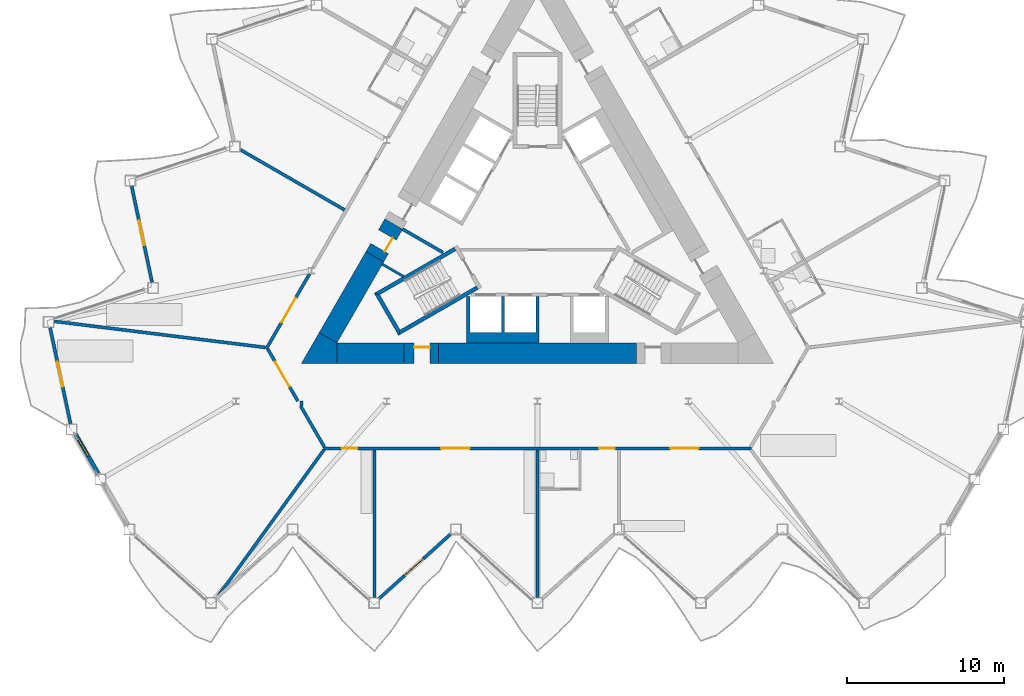
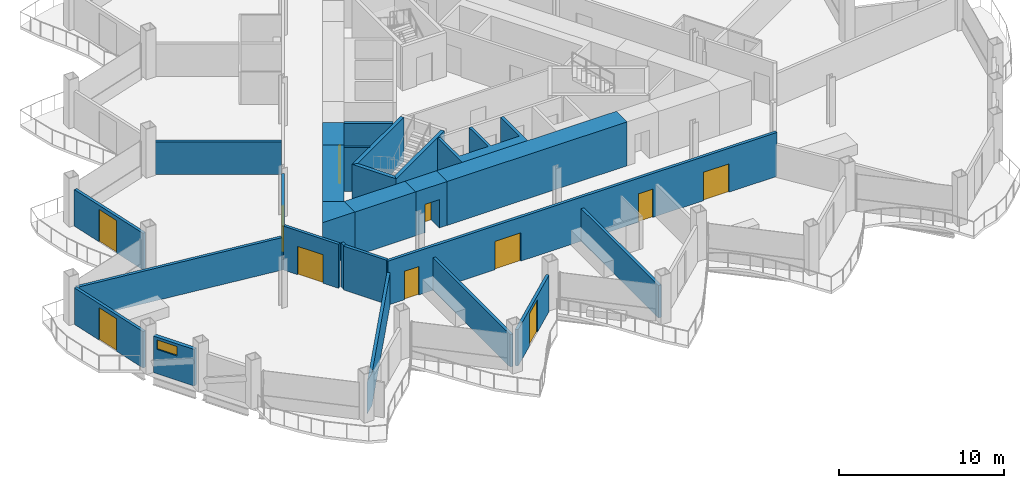
# One storey, part 11 of 24: 26 walls, 11 doors, 1 window, 12 openings.
"""IFC4 building model written with IfcOpenShell, lengths in metres."""

from ifc_helpers import new_model, si_unit, direction, frame, frame_2d, origin, place, context, subcontext, project, spatial, polyline, rectangle, outline, extrude, material, layer, layer_set, type_object, element, fill, save


model = new_model("IFC4")

# Units and contexts
model_context = context("Model", 3, precision=1e-05, world=origin(), true_north=direction((0.0, 1.0)))
body_context = subcontext(model_context, "Body", "Model", "MODEL_VIEW")
ifc_project = project(units=[si_unit("LENGTHUNIT", "METRE"), si_unit("AREAUNIT", "SQUARE_METRE"), si_unit("VOLUMEUNIT", "CUBIC_METRE"), si_unit("PLANEANGLEUNIT", "RADIAN"), si_unit("MASSUNIT", "GRAM", prefix="KILO")], contexts=[model_context])

# Site, building, storey
site_placement = place(None, origin())
site = spatial("IfcSite", under=ifc_project, at=site_placement, CompositionType="ELEMENT")
building_placement = place(site_placement, origin())
building = spatial("IfcBuilding", under=site, at=building_placement, Name="Cormorant Prow Tower", CompositionType="ELEMENT")
storey_placement = place(building_placement, frame((0.0, 0.0, 270.60009765625)))
storey = spatial("IfcBuildingStorey", under=building, at=storey_placement, Name="L61", CompositionType="ELEMENT", Elevation=270.60009765625)

# Walls
ifc_material_1 = material(Name="Gypsum board partition")
ifc_layer_1 = layer(ifc_material_1, 0.14990234375)
ifc_layer_set_1 = layer_set([ifc_layer_1], Name="Gypsum board partition")
wall_type_1 = type_object("IfcWallType", Name="Core partition 150", PredefinedType="PARTITIONING", material=ifc_layer_set_1)
wall_1_placement = place(storey_placement, frame((-9.862060546875, -2.361083984375, 0.0), z_axis=(0.0, 0.0, 1.0), x_axis=(0.865990094875, -0.500061151839, 0.0)))
element("IfcWall", 1, at=wall_1_placement, inside=storey, type_object=wall_type_1, Name="Service room partition", PredefinedType="PARTITIONING", context=body_context, shape_type="SweptSolid", body=[
    extrude(rectangle(XDim=1.559814453125, YDim=0.14990234375, at=frame_2d((0.77978515625, 0.0))), origin(), (0.0, 0.0, 1.0), 3.25),
])
ifc_material_2 = material(Name="Concrete 8000 psi", Category="concrete")
ifc_layer_2 = layer(ifc_material_2, 1.300048828125)
ifc_layer_set_2 = layer_set([ifc_layer_2], Name="Concrete 8000 psi")
wall_type_2 = type_object("IfcWallType", Name="Core shear wall 1300", PredefinedType="SHEAR", material=ifc_layer_set_2)
wall_2_placement = place(storey_placement, frame((-6.2880859375, -8.01025390625, 0.0), z_axis=(0.0, 0.0, 1.0), x_axis=(1.0, 0.0, 0.0)))
element("IfcWall", 2, at=wall_2_placement, inside=storey, type_object=wall_type_2, Name="Core wall", PredefinedType="SHEAR", context=body_context, shape_type="SweptSolid", body=[
    extrude(rectangle(XDim=12.576171875, YDim=1.300048828125, at=frame_2d((6.2880859375, 0.0))), origin(), (0.0, 0.0, 1.0), 3.25),
])
wall_3_placement = place(storey_placement, frame((-12.748291015625, -8.01025390625, 0.0), z_axis=(0.0, 0.0, 1.0), x_axis=(1.0, 0.0, 0.0)))
element("IfcWall", 3, at=wall_3_placement, inside=storey, type_object=wall_type_2, Name="Core wall", PredefinedType="SHEAR", context=body_context, shape_type="SweptSolid", body=[
    extrude(rectangle(XDim=4.260009765625, YDim=1.300048828125, at=frame_2d((2.1298828125, 0.0))), origin(), (0.0, 0.0, 1.0), 3.25),
])
wall_4_placement = place(storey_placement, frame((-10.337890625, -1.885009765625, 0.0), z_axis=(0.0, 0.0, 1.0), x_axis=(-0.499975944838, -0.866039291593, 0.0)))
element("IfcWall", 4, at=wall_4_placement, inside=storey, type_object=wall_type_2, Name="Core wall", PredefinedType="SHEAR", context=body_context, shape_type="SweptSolid", body=[
    extrude(rectangle(XDim=5.947021484375, YDim=1.300048828125, at=frame_2d((2.9736328125, 0.0))), origin(), (0.0, 0.0, 1.0), 3.25),
])
wall_5_placement = place(storey_placement, origin())
element("IfcWall", 5, at=wall_5_placement, inside=storey, type_object=wall_type_2, Name="Core wall corner", PredefinedType="SHEAR", context=body_context, shape_type="SweptSolid", body=[
    extrude(outline(polyline([(-13.874267578125, -6.710205078125), (-12.748291015625, -7.3603515625), (-12.748291015625, -8.660400390625), (-15.0, -8.660400390625), (-13.874267578125, -6.710205078125)])), origin(), (0.0, 0.0, 1.0), 3.25),
])

# Wall, opening, door
wall_6_placement = place(storey_placement, frame((-8.48828125, -8.01025390625, 0.0), z_axis=(0.0, 0.0, 1.0), x_axis=(1.0, 0.0, 0.0)))
wall_6 = element("IfcWall", 6, at=wall_6_placement, inside=storey, type_object=wall_type_2, Name="Core wall door panel", PredefinedType="SHEAR", context=body_context, shape_type="SweptSolid", body=[
    extrude(rectangle(XDim=2.2001953125, YDim=1.300048828125, at=frame_2d((1.10009765625, 0.0))), origin(), (0.0, 0.0, 1.0), 3.25),
])
opening_1_placement = place(wall_6_placement, frame((0.64990234375, 0.0, 0.0)))
opening_1 = element("IfcOpeningElement", 7, at=opening_1_placement, cuts=wall_6, Name="Opening L61-C14", PredefinedType="OPENING", context=body_context, shape_type="SweptSolid", body=[
    extrude(rectangle(XDim=1.0, YDim=2.10009765625, at=frame_2d((0.5, 1.050048828125))), frame((0.0, 0.659912109375, 0.0), z_axis=(0.0, -1.0, 0.0), x_axis=(1.0, 0.0, 0.0)), (0.0, 0.0, 1.0), 1.320068359375),
])
ifc_material_3 = material(Name="Painted steel", Category="steel")
door_type_1 = type_object("IfcDoorType", Name="Service door 1000x2100", OperationType="NOTDEFINED", PredefinedType="DOOR", material=ifc_material_3)
door_1_placement = place(opening_1_placement, origin())
door_1 = element("IfcDoor", 8, at=door_1_placement, inside=storey, type_object=door_type_1, Name="Core door, Pantry store", OperationType="SINGLE_SWING_LEFT", OverallHeight=2.10009765625, OverallWidth=1.0, PredefinedType="DOOR", context=body_context, shape_type="SweptSolid", body=[
    extrude(rectangle(XDim=1.0, YDim=2.10009765625, at=frame_2d((0.5, 1.050048828125))), frame((0.0, 0.40478515625, 0.0), z_axis=(0.0, -1.0, 0.0), x_axis=(1.0, 0.0, 0.0)), (0.0, 0.0, 1.0), 0.050048828125),
])
fill(opening_1, door_1)

wall_7_placement = place(storey_placement, frame((-9.13720703125, 0.194580078125, 0.0), z_axis=(0.0, 0.0, 1.0), x_axis=(-0.500009943768, -0.866019662671, 0.0)))
wall_7 = element("IfcWall", 9, at=wall_7_placement, inside=storey, type_object=wall_type_2, Name="Core wall door panel", PredefinedType="SHEAR", context=body_context, shape_type="SweptSolid", body=[
    extrude(rectangle(XDim=2.4013671875, YDim=1.300048828125, at=frame_2d((1.20068359375, 0.0))), origin(), (0.0, 0.0, 1.0), 3.25),
])
opening_2_placement = place(wall_7_placement, frame((0.800048828125, 0.0, 0.0)))
opening_2 = element("IfcOpeningElement", 10, at=opening_2_placement, cuts=wall_7, Name="Opening L61-C16", PredefinedType="OPENING", context=body_context, shape_type="SweptSolid", body=[
    extrude(rectangle(XDim=1.0, YDim=2.10009765625, at=frame_2d((0.5, 1.050048828125))), frame((0.0, 0.659912109375, 0.0), z_axis=(0.0, -1.0, 0.0), x_axis=(1.0, 0.0, 0.0)), (0.0, 0.0, 1.0), 1.320068359375),
])
door_2_placement = place(opening_2_placement, origin())
door_2 = element("IfcDoor", 11, at=door_2_placement, inside=storey, type_object=door_type_1, Name="Core door, Mechanical riser room", OperationType="SINGLE_SWING_LEFT", OverallHeight=2.10009765625, OverallWidth=1.0, PredefinedType="DOOR", context=body_context, shape_type="SweptSolid", body=[
    extrude(rectangle(XDim=1.0, YDim=2.10009765625, at=frame_2d((0.5, 1.050048828125))), frame((0.0, 0.40478515625, 0.0), z_axis=(0.0, -1.0, 0.0), x_axis=(1.0, 0.0, 0.0)), (0.0, 0.0, 1.0), 0.050048828125),
])
fill(opening_2, door_2)

# Wall, openings, doors
ifc_material_4 = material(Name="Gypsum board corridor wall")
ifc_layer_3 = layer(ifc_material_4, 0.199951171875)
ifc_layer_set_3 = layer_set([ifc_layer_3], Name="Gypsum board corridor wall")
wall_type_3 = type_object("IfcWallType", Name="Corridor wall 200", PredefinedType="PARTITIONING", material=ifc_layer_set_3)
wall_8_placement = place(storey_placement, frame((-13.598876953125, -14.060302734375, 0.0), z_axis=(0.0, 0.0, 1.0), x_axis=(1.0, 0.0, 0.0)))
wall_8 = element("IfcWall", 12, at=wall_8_placement, inside=storey, type_object=wall_type_3, Name="Corridor wall", PredefinedType="PARTITIONING", context=body_context, shape_type="SweptSolid", body=[
    extrude(rectangle(XDim=27.19775390625, YDim=0.199951171875, at=frame_2d((13.598876953125, 0.0))), origin(), (0.0, 0.0, 1.0), 3.25),
])
opening_3_placement = place(wall_8_placement, frame((1.1533203125, 0.0, 0.0)))
opening_3 = element("IfcOpeningElement", 13, at=opening_3_placement, cuts=wall_8, Name="Opening L61-F01", PredefinedType="OPENING", context=body_context, shape_type="SweptSolid", body=[
    extrude(rectangle(XDim=1.0, YDim=2.10009765625, at=frame_2d((0.5, 1.050048828125))), frame((0.0, 0.10986328125, 0.0), z_axis=(0.0, -1.0, 0.0), x_axis=(1.0, 0.0, 0.0)), (0.0, 0.0, 1.0), 0.219970703125),
])
opening_4_placement = place(wall_8_placement, frame((7.478271484375, 0.0, 0.0)))
opening_4 = element("IfcOpeningElement", 14, at=opening_4_placement, cuts=wall_8, Name="Opening L61-F02", PredefinedType="OPENING", context=body_context, shape_type="SweptSolid", body=[
    extrude(rectangle(XDim=1.800048828125, YDim=2.10009765625, at=frame_2d((0.89990234375, 1.050048828125))), frame((0.0, 0.10986328125, 0.0), z_axis=(0.0, -1.0, 0.0), x_axis=(1.0, 0.0, 0.0)), (0.0, 0.0, 1.0), 0.219970703125),
])
opening_5_placement = place(wall_8_placement, frame((17.515625, 0.0, 0.0)))
opening_5 = element("IfcOpeningElement", 15, at=opening_5_placement, cuts=wall_8, Name="Opening L61-F03", PredefinedType="OPENING", context=body_context, shape_type="SweptSolid", body=[
    extrude(rectangle(XDim=1.0, YDim=2.10009765625, at=frame_2d((0.5, 1.050048828125))), frame((0.0, 0.10986328125, 0.0), z_axis=(0.0, -1.0, 0.0), x_axis=(1.0, 0.0, 0.0)), (0.0, 0.0, 1.0), 0.219970703125),
])
opening_6_placement = place(wall_8_placement, frame((22.03564453125, 0.0, 0.0)))
opening_6 = element("IfcOpeningElement", 16, at=opening_6_placement, cuts=wall_8, Name="Opening L61-F05", PredefinedType="OPENING", context=body_context, shape_type="SweptSolid", body=[
    extrude(rectangle(XDim=1.800048828125, YDim=2.10009765625, at=frame_2d((0.89990234375, 1.050048828125))), frame((0.0, 0.10986328125, 0.0), z_axis=(0.0, -1.0, 0.0), x_axis=(1.0, 0.0, 0.0)), (0.0, 0.0, 1.0), 0.219970703125),
])
ifc_material_5 = material(Name="Timber door leaf", Category="wood")
door_type_2 = type_object("IfcDoorType", Name="Double door 1800x2100", OperationType="DOUBLE_DOOR_SINGLE_SWING", PredefinedType="DOOR", material=ifc_material_5)
door_3_placement = place(opening_4_placement, origin())
door_3 = element("IfcDoor", 17, at=door_3_placement, inside=storey, type_object=door_type_2, Name="Conference room door", OperationType="DOUBLE_DOOR_SINGLE_SWING", OverallHeight=2.10009765625, OverallWidth=1.800048828125, PredefinedType="DOOR", context=body_context, shape_type="SweptSolid", body=[
    extrude(rectangle(XDim=1.800048828125, YDim=2.10009765625, at=frame_2d((0.89990234375, 1.050048828125))), frame((0.0, 0.02490234375, 0.0), z_axis=(0.0, -1.0, 0.0), x_axis=(1.0, 0.0, 0.0)), (0.0, 0.0, 1.0), 0.050048828125),
])
fill(opening_4, door_3)
door_4_placement = place(opening_6_placement, origin())
door_4 = element("IfcDoor", 18, at=door_4_placement, inside=storey, type_object=door_type_2, Name="Board room door", OperationType="DOUBLE_DOOR_SINGLE_SWING", OverallHeight=2.10009765625, OverallWidth=1.800048828125, PredefinedType="DOOR", context=body_context, shape_type="SweptSolid", body=[
    extrude(rectangle(XDim=1.800048828125, YDim=2.10009765625, at=frame_2d((0.89990234375, 1.050048828125))), frame((0.0, 0.02490234375, 0.0), z_axis=(0.0, -1.0, 0.0), x_axis=(1.0, 0.0, 0.0)), (0.0, 0.0, 1.0), 0.050048828125),
])
fill(opening_6, door_4)
ifc_material_6 = material(Name="Timber door leaf", Category="wood")
door_type_3 = type_object("IfcDoorType", Name="Flat or room entrance door 1000x2100", OperationType="NOTDEFINED", PredefinedType="DOOR", material=ifc_material_6)
door_5_placement = place(opening_3_placement, origin())
door_5 = element("IfcDoor", 19, at=door_5_placement, inside=storey, type_object=door_type_3, Name="Meeting room door", OperationType="SINGLE_SWING_LEFT", OverallHeight=2.10009765625, OverallWidth=1.0, PredefinedType="DOOR", context=body_context, shape_type="SweptSolid", body=[
    extrude(rectangle(XDim=1.0, YDim=2.10009765625, at=frame_2d((0.5, 1.050048828125))), frame((0.0, 0.02490234375, 0.0), z_axis=(0.0, -1.0, 0.0), x_axis=(1.0, 0.0, 0.0)), (0.0, 0.0, 1.0), 0.050048828125),
])
fill(opening_3, door_5)
door_6_placement = place(opening_5_placement, origin())
door_6 = element("IfcDoor", 20, at=door_6_placement, inside=storey, type_object=door_type_3, Name="Guest room door", OperationType="SINGLE_SWING_RIGHT", OverallHeight=2.10009765625, OverallWidth=1.0, PredefinedType="DOOR", context=body_context, shape_type="SweptSolid", body=[
    extrude(rectangle(XDim=1.0, YDim=2.10009765625, at=frame_2d((0.5, 1.050048828125))), frame((0.0, 0.02490234375, 0.0), z_axis=(0.0, -1.0, 0.0), x_axis=(1.0, 0.0, 0.0)), (0.0, 0.0, 1.0), 0.050048828125),
])
fill(opening_5, door_6)

# Wall, opening, door
wall_9_placement = place(storey_placement, frame((-17.243896484375, -7.746826171875, 0.0), z_axis=(0.0, 0.0, 1.0), x_axis=(0.500017753321, 0.866015153657, 0.0)))
wall_9 = element("IfcWall", 21, at=wall_9_placement, inside=storey, type_object=wall_type_3, Name="Corridor wall", PredefinedType="PARTITIONING", context=body_context, shape_type="SweptSolid", body=[
    extrude(rectangle(XDim=5.510498046875, YDim=0.199951171875, at=frame_2d((2.75537109375, 0.0))), origin(), (0.0, 0.0, 1.0), 3.25),
])
opening_7_placement = place(wall_9_placement, frame((1.95556640625, 0.0, 0.0)))
opening_7 = element("IfcOpeningElement", 22, at=opening_7_placement, cuts=wall_9, Name="Opening L61-F19", PredefinedType="OPENING", context=body_context, shape_type="SweptSolid", body=[
    extrude(rectangle(XDim=1.800048828125, YDim=2.10009765625, at=frame_2d((0.89990234375, 1.050048828125))), frame((0.0, 0.10986328125, 0.0), z_axis=(0.0, -1.0, 0.0), x_axis=(1.0, 0.0, 0.0)), (0.0, 0.0, 1.0), 0.219970703125),
])
door_7_placement = place(opening_7_placement, origin())
door_7 = element("IfcDoor", 23, at=door_7_placement, inside=storey, type_object=door_type_2, Name="Library door", OperationType="DOUBLE_DOOR_SINGLE_SWING", OverallHeight=2.10009765625, OverallWidth=1.800048828125, PredefinedType="DOOR", context=body_context, shape_type="SweptSolid", body=[
    extrude(rectangle(XDim=1.800048828125, YDim=2.10009765625, at=frame_2d((0.89990234375, 1.050048828125))), frame((0.0, 0.02490234375, 0.0), z_axis=(0.0, -1.0, 0.0), x_axis=(1.0, 0.0, 0.0)), (0.0, 0.0, 1.0), 0.050048828125),
])
fill(opening_7, door_7)

wall_10_placement = place(storey_placement, frame((-17.143798828125, -7.746826171875, 0.0), z_axis=(0.0, 0.0, 1.0), x_axis=(0.499961815444, -0.866047448526, 0.0)))
wall_10 = element("IfcWall", 24, at=wall_10_placement, inside=storey, type_object=wall_type_3, Name="Corridor wall", PredefinedType="PARTITIONING", context=body_context, shape_type="SweptSolid", body=[
    extrude(rectangle(XDim=3.825927734375, YDim=0.199951171875, at=frame_2d((1.9130859375, 0.0))), origin(), (0.0, 0.0, 1.0), 3.25),
])
opening_8_placement = place(wall_10_placement, frame((0.962158203125, 0.0, 0.0)))
opening_8 = element("IfcOpeningElement", 25, at=opening_8_placement, cuts=wall_10, Name="Opening L61-F20", PredefinedType="OPENING", context=body_context, shape_type="SweptSolid", body=[
    extrude(rectangle(XDim=1.800048828125, YDim=2.10009765625, at=frame_2d((0.89990234375, 1.050048828125))), frame((0.0, 0.10986328125, 0.0), z_axis=(0.0, -1.0, 0.0), x_axis=(1.0, 0.0, 0.0)), (0.0, 0.0, 1.0), 0.219970703125),
])
door_8_placement = place(opening_8_placement, origin())
door_8 = element("IfcDoor", 26, at=door_8_placement, inside=storey, type_object=door_type_2, Name="Co-working space door", OperationType="DOUBLE_DOOR_SINGLE_SWING", OverallHeight=2.10009765625, OverallWidth=1.800048828125, PredefinedType="DOOR", context=body_context, shape_type="SweptSolid", body=[
    extrude(rectangle(XDim=1.800048828125, YDim=2.10009765625, at=frame_2d((0.89990234375, 1.050048828125))), frame((0.0, 0.02490234375, 0.0), z_axis=(0.0, -1.0, 0.0), x_axis=(1.0, 0.0, 0.0)), (0.0, 0.0, 1.0), 0.050048828125),
])
fill(opening_8, door_8)

# Walls
wall_11_placement = place(storey_placement, frame((-15.050048828125, -11.373779296875, 0.0), z_axis=(0.0, 0.0, 1.0), x_axis=(0.500048608389, -0.865997337899, 0.0)))
element("IfcWall", 27, at=wall_11_placement, inside=storey, type_object=wall_type_3, Name="Corridor wall", PredefinedType="PARTITIONING", context=body_context, shape_type="SweptSolid", body=[
    extrude(rectangle(XDim=3.002197265625, YDim=0.199951171875, at=frame_2d((1.5009765625, 0.0))), origin(), (0.0, 0.0, 1.0), 3.25),
])
wall_12_placement = place(storey_placement, frame((-15.0, -11.3603515625, 0.0), z_axis=(0.0, 0.0, 1.0), x_axis=(0.0, 1.0, 0.0)))
element("IfcWall", 28, at=wall_12_placement, inside=storey, type_object=wall_type_3, Name="Corridor wall", PredefinedType="PARTITIONING", context=body_context, shape_type="SweptSolid", body=[
    extrude(rectangle(XDim=0.31005859375, YDim=0.199951171875, at=frame_2d((0.155029296875, 0.0))), origin(), (0.0, 0.0, 1.0), 3.25),
])
ifc_material_7 = material(Name="Gypsum board demising wall")
ifc_layer_4 = layer(ifc_material_7, 0.199951171875)
ifc_layer_set_4 = layer_set([ifc_layer_4], Name="Gypsum board demising wall")
wall_type_4 = type_object("IfcWallType", Name="Demising wall 200", PredefinedType="PARTITIONING", material=ifc_layer_set_4)
wall_13_placement = place(storey_placement, frame((-30.703125, -5.9921875, 0.0), z_axis=(0.0, 0.0, 1.0), x_axis=(0.992463280008, -0.122542391993, 0.0)))
element("IfcWall", 29, at=wall_13_placement, inside=storey, type_object=wall_type_4, Name="Demising wall", PredefinedType="PARTITIONING", context=body_context, shape_type="SweptSolid", body=[
    extrude(rectangle(XDim=13.51171875, YDim=0.199951171875, at=frame_2d((6.755859375, 0.0))), origin(), (0.0, 0.0, 1.0), 2.404052734375),
])
wall_14_placement = place(storey_placement, origin())
element("IfcWall", 30, at=wall_14_placement, inside=storey, type_object=wall_type_4, Name="Demising wall", PredefinedType="PARTITIONING", context=body_context, shape_type="SweptSolid", body=[
    extrude(outline(polyline([(-13.476318359375, -14.199951171875), (-19.722900390625, -22.82958984375), (-20.431884765625, -23.468017578125), (-13.638427734375, -14.08251953125), (-13.476318359375, -14.199951171875)])), origin(), (0.0, 0.0, 1.0), 2.404052734375),
])
for number, where, z_axis, x_axis, name in (
    (31, (-10.370361328125, -23.52685546875, 0.0), (0.0, 0.0, 1.0), (0.0, 1.0, 0.0), "Demising wall"),
    (32, (0.0, -23.52685546875, 0.0), (0.0, 0.0, 1.0), (0.0, 1.0, 0.0), "Demising wall"),
):
    element("IfcWall", number, at=place(storey_placement, frame(where, z_axis=z_axis, x_axis=x_axis)), inside=storey, type_object=wall_type_4, Name=name, PredefinedType="PARTITIONING", context=body_context, shape_type="SweptSolid", body=[
        extrude(rectangle(XDim=9.366455078125, YDim=0.199951171875, at=frame_2d((4.68310546875, 0.0))), origin(), (0.0, 0.0, 1.0), 2.404052734375),
    ])
wall_15_placement = place(storey_placement, frame((-18.875, 4.91015625, 0.0), z_axis=(0.0, 0.0, 1.0), x_axis=(0.866018509426, -0.50001194119, 0.0)))
element("IfcWall", 33, at=wall_15_placement, inside=storey, type_object=wall_type_4, Name="Demising wall", PredefinedType="PARTITIONING", context=body_context, shape_type="SweptSolid", body=[
    extrude(rectangle(XDim=7.640869140625, YDim=0.199951171875, at=frame_2d((3.8203125, 0.0))), origin(), (0.0, 0.0, 1.0), 2.404052734375),
])
ifc_material_8 = material(Name="Concrete 8000 psi", Category="concrete")
ifc_layer_5 = layer(ifc_material_8, 0.199951171875)
ifc_layer_set_5 = layer_set([ifc_layer_5], Name="Concrete 8000 psi")
wall_type_5 = type_object("IfcWallType", Name="Lift shaft wall 200", PredefinedType="SHEAR", material=ifc_layer_set_5)
wall_16_placement = place(storey_placement, origin())
element("IfcWall", 34, at=wall_16_placement, inside=storey, type_object=wall_type_5, Name="Lift shaft walls, S block", PredefinedType="SHEAR", context=body_context, shape_type="SweptSolid", body=[
    extrude(outline(polyline([(0.10009765625, -7.3603515625), (-4.5, -7.3603515625), (-4.5, -4.39990234375), (-4.300048828125, -4.39990234375), (-4.300048828125, -6.699951171875), (-2.300048828125, -6.699951171875), (-2.300048828125, -4.39990234375), (-2.10009765625, -4.39990234375), (-2.10009765625, -6.699951171875), (-0.10009765625, -6.699951171875), (-0.10009765625, -4.39990234375), (0.10009765625, -4.39990234375), (0.10009765625, -7.3603515625)])), origin(), (0.0, 0.0, 1.0), 3.25),
])
wall_17_placement = place(storey_placement, origin())
element("IfcWall", 35, at=wall_17_placement, inside=storey, type_object=wall_type_5, Name="Lift shaft walls, WNW block", PredefinedType="SHEAR", context=body_context, shape_type="SweptSolid", body=[
    extrude(outline(polyline([(-8.524169921875, -0.043701171875), (-8.130859375, -0.27099609375), (-5.96044921875, -1.52392578125), (-6.060546875, -1.697021484375), (-8.230712890625, -0.444091796875), (-8.624267578125, -0.217041015625), (-8.524169921875, -0.043701171875)])), origin(), (0.0, 0.0, 1.0), 3.25),
])
ifc_material_9 = material(Name="Concrete 8000 psi", Category="concrete")
ifc_layer_6 = layer(ifc_material_9, 0.25)
ifc_layer_set_6 = layer_set([ifc_layer_6], Name="Concrete 8000 psi")
wall_type_6 = type_object("IfcWallType", Name="Stair wall 250", PredefinedType="SHEAR", material=ifc_layer_set_6)
wall_18_placement = place(storey_placement, origin())
element("IfcWall", 36, at=wall_18_placement, inside=storey, type_object=wall_type_6, Name="Stair ST1 enclosure wall (flank)", PredefinedType="SHEAR", context=body_context, shape_type="SweptSolid", body=[
    extrude(outline(polyline([(-5.30712890625, -1.28125), (-10.37353515625, -4.206298828125), (-10.031982421875, -4.2978515625), (-5.18212890625, -1.497802734375), (-5.30712890625, -1.28125)])), origin(), (0.0, 0.0, 1.0), 3.25),
])
wall_19_placement = place(storey_placement, origin())
element("IfcWall", 37, at=wall_19_placement, inside=storey, type_object=wall_type_6, Name="Stair ST1 enclosure wall (end)", PredefinedType="SHEAR", context=body_context, shape_type="SweptSolid", body=[
    extrude(outline(polyline([(-10.37353515625, -4.206298828125), (-8.82958984375, -6.880615234375), (-8.738037109375, -6.5390625), (-10.031982421875, -4.2978515625), (-10.37353515625, -4.206298828125)])), origin(), (0.0, 0.0, 1.0), 3.25),
])
wall_20_placement = place(storey_placement, origin())
element("IfcWall", 38, at=wall_20_placement, inside=storey, type_object=wall_type_6, Name="Stair ST1 enclosure wall (flank)", PredefinedType="SHEAR", context=body_context, shape_type="SweptSolid", body=[
    extrude(outline(polyline([(-8.738037109375, -6.5390625), (-8.82958984375, -6.880615234375), (-3.76318359375, -3.95556640625), (-3.88818359375, -3.739013671875), (-8.738037109375, -6.5390625)])), origin(), (0.0, 0.0, 1.0), 3.25),
])

# Wall, opening, window
ifc_material_10 = material(Name="Terracotta", Category="masonry")
ifc_layer_7 = layer(ifc_material_10, 0.25)
ifc_layer_set_7 = layer_set([ifc_layer_7], Name="Terracotta")
wall_type_7 = type_object("IfcWallType", Name="Terracotta bay wall 250", PredefinedType="SOLIDWALL", material=ifc_layer_set_7)
wall_21_placement = place(storey_placement, frame((-29.35888671875, -13.150634765625, 0.0), z_axis=(0.0, 0.0, 1.0), x_axis=(0.499989935246, -0.866031214595, 0.0)))
wall_21 = element("IfcWall", 39, at=wall_21_placement, inside=storey, type_object=wall_type_7, Name="Terracotta bay wall WSW00", PredefinedType="SOLIDWALL", context=body_context, shape_type="SweptSolid", body=[
    extrude(rectangle(XDim=2.87060546875, YDim=0.25, at=frame_2d((1.435302734375, 0.0))), origin(), (0.0, 0.0, 1.0), 2.70068359375),
])
opening_9_placement = place(wall_21_placement, frame((0.25, 0.0, 1.800048828125)))
opening_9 = element("IfcOpeningElement", 40, at=opening_9_placement, cuts=wall_21, Name="Opening WN4", PredefinedType="OPENING", context=body_context, shape_type="SweptSolid", body=[
    extrude(rectangle(XDim=1.39990234375, YDim=0.699951171875, at=frame_2d((0.699951171875, 0.35009765625))), frame((0.0, 0.135009765625, 0.0), z_axis=(0.0, -1.0, 0.0), x_axis=(1.0, 0.0, 0.0)), (0.0, 0.0, 1.0), 0.27001953125),
])
ifc_material_11 = material(Name="Aluminium 6063-T6", Category="aluminium")
window_type = type_object("IfcWindowType", Name="Corner bay window 1400x700", PartitioningType="SINGLE_PANEL", PredefinedType="WINDOW", material=ifc_material_11)
window_placement = place(opening_9_placement, origin())
window = element("IfcWindow", 41, at=window_placement, inside=storey, type_object=window_type, Name="Corner bay window WSW00", OverallHeight=0.699951171875, OverallWidth=1.39990234375, PartitioningType="SINGLE_PANEL", PredefinedType="WINDOW", context=body_context, shape_type="SweptSolid", body=[
    extrude(rectangle(XDim=1.39990234375, YDim=0.699951171875, at=frame_2d((0.699951171875, 0.35009765625))), frame((0.0, 0.030029296875, 0.0), z_axis=(0.0, -1.0, 0.0), x_axis=(1.0, 0.0, 0.0)), (0.0, 0.0, 1.0), 0.06005859375),
])
fill(opening_9, window)

# Wall, opening, door
ifc_material_12 = material(Name="Terracotta", Category="masonry")
ifc_layer_8 = layer(ifc_material_12, 0.199951171875)
ifc_layer_set_8 = layer_set([ifc_layer_8], Name="Terracotta")
wall_type_8 = type_object("IfcWallType", Name="Terracotta jamb wall 200", PredefinedType="SOLIDWALL", material=ifc_layer_set_8)
wall_22_placement = place(storey_placement, frame((-10.06494140625, -23.605712890625, 0.0), z_axis=(0.0, 0.0, 1.0), x_axis=(0.743144443869, 0.669131030178, 0.0)))
wall_22 = element("IfcWall", 42, at=wall_22_placement, inside=storey, type_object=wall_type_8, Name="Terracotta jamb wall S03", PredefinedType="SOLIDWALL", context=body_context, shape_type="SweptSolid", body=[
    extrude(rectangle(XDim=6.08251953125, YDim=0.199951171875, at=frame_2d((3.041259765625, 0.0))), origin(), (0.0, 0.0, 1.0), 2.70068359375),
])
opening_10_placement = place(wall_22_placement, frame((2.187744140625, 0.0, 0.0)))
opening_10 = element("IfcOpeningElement", 43, at=opening_10_placement, cuts=wall_22, Name="Opening ED61.02", PredefinedType="OPENING", context=body_context, shape_type="SweptSolid", body=[
    extrude(rectangle(XDim=1.60009765625, YDim=2.39990234375, at=frame_2d((0.800048828125, 1.199951171875))), frame((0.0, 0.10986328125, 0.0), z_axis=(0.0, -1.0, 0.0), x_axis=(1.0, 0.0, 0.0)), (0.0, 0.0, 1.0), 0.219970703125),
])
ifc_material_13 = material(Name="Aluminium 6063-T6", Category="aluminium")
door_type_4 = type_object("IfcDoorType", Name="Balcony door 1600x2400", OperationType="DOUBLE_DOOR_SINGLE_SWING", PredefinedType="DOOR", material=ifc_material_13)
door_9_placement = place(opening_10_placement, origin())
door_9 = element("IfcDoor", 44, at=door_9_placement, inside=storey, type_object=door_type_4, Name="Balcony door S03 ED61.02", OperationType="DOUBLE_DOOR_SINGLE_SWING", OverallHeight=2.39990234375, OverallWidth=1.60009765625, PredefinedType="DOOR", context=body_context, shape_type="SweptSolid", body=[
    extrude(rectangle(XDim=1.60009765625, YDim=2.39990234375, at=frame_2d((0.800048828125, 1.199951171875))), frame((0.0, 0.02490234375, 0.0), z_axis=(0.0, -1.0, 0.0), x_axis=(1.0, 0.0, 0.0)), (0.0, 0.0, 1.0), 0.050048828125),
])
fill(opening_10, door_9)

wall_23_placement = place(storey_placement, frame((-25.7880859375, 2.590576171875, 0.0), z_axis=(0.0, 0.0, 1.0), x_axis=(0.207907484076, -0.978148494895, 0.0)))
wall_23 = element("IfcWall", 45, at=wall_23_placement, inside=storey, type_object=wall_type_8, Name="Terracotta jamb wall WNW07", PredefinedType="SOLIDWALL", context=body_context, shape_type="SweptSolid", body=[
    extrude(rectangle(XDim=6.23193359375, YDim=0.199951171875, at=frame_2d((3.115966796875, 0.0))), origin(), (0.0, 0.0, 1.0), 2.70068359375),
])
opening_11_placement = place(wall_23_placement, frame((2.2216796875, 0.0, 0.0)))
opening_11 = element("IfcOpeningElement", 46, at=opening_11_placement, cuts=wall_23, Name="Opening ED61.14", PredefinedType="OPENING", context=body_context, shape_type="SweptSolid", body=[
    extrude(rectangle(XDim=1.60009765625, YDim=2.39990234375, at=frame_2d((0.800048828125, 1.199951171875))), frame((0.0, 0.10986328125, 0.0), z_axis=(0.0, -1.0, 0.0), x_axis=(1.0, 0.0, 0.0)), (0.0, 0.0, 1.0), 0.219970703125),
])
door_10_placement = place(opening_11_placement, origin())
door_10 = element("IfcDoor", 47, at=door_10_placement, inside=storey, type_object=door_type_4, Name="Balcony door WNW07 ED61.14", OperationType="DOUBLE_DOOR_SINGLE_SWING", OverallHeight=2.39990234375, OverallWidth=1.60009765625, PredefinedType="DOOR", context=body_context, shape_type="SweptSolid", body=[
    extrude(rectangle(XDim=1.60009765625, YDim=2.39990234375, at=frame_2d((0.800048828125, 1.199951171875))), frame((0.0, 0.02490234375, 0.0), z_axis=(0.0, -1.0, 0.0), x_axis=(1.0, 0.0, 0.0)), (0.0, 0.0, 1.0), 0.050048828125),
])
fill(opening_11, door_10)

wall_24_placement = place(storey_placement, frame((-30.97216796875, -6.395751953125, 0.0), z_axis=(0.0, 0.0, 1.0), x_axis=(0.207907484076, -0.978148494895, 0.0)))
wall_24 = element("IfcWall", 48, at=wall_24_placement, inside=storey, type_object=wall_type_8, Name="Terracotta jamb wall WNW09", PredefinedType="SOLIDWALL", context=body_context, shape_type="SweptSolid", body=[
    extrude(rectangle(XDim=6.23193359375, YDim=0.199951171875, at=frame_2d((3.115966796875, 0.0))), origin(), (0.0, 0.0, 1.0), 2.70068359375),
])
opening_12_placement = place(wall_24_placement, frame((2.21630859375, 0.0, 0.0)))
opening_12 = element("IfcOpeningElement", 49, at=opening_12_placement, cuts=wall_24, Name="Opening ED61.15", PredefinedType="OPENING", context=body_context, shape_type="SweptSolid", body=[
    extrude(rectangle(XDim=1.60009765625, YDim=2.39990234375, at=frame_2d((0.800048828125, 1.199951171875))), frame((0.0, 0.10986328125, 0.0), z_axis=(0.0, -1.0, 0.0), x_axis=(1.0, 0.0, 0.0)), (0.0, 0.0, 1.0), 0.219970703125),
])
door_11_placement = place(opening_12_placement, origin())
door_11 = element("IfcDoor", 50, at=door_11_placement, inside=storey, type_object=door_type_4, Name="Balcony door WNW09 ED61.15", OperationType="DOUBLE_DOOR_SINGLE_SWING", OverallHeight=2.39990234375, OverallWidth=1.60009765625, PredefinedType="DOOR", context=body_context, shape_type="SweptSolid", body=[
    extrude(rectangle(XDim=1.60009765625, YDim=2.39990234375, at=frame_2d((0.800048828125, 1.199951171875))), frame((0.0, 0.02490234375, 0.0), z_axis=(0.0, -1.0, 0.0), x_axis=(1.0, 0.0, 0.0)), (0.0, 0.0, 1.0), 0.050048828125),
])
fill(opening_12, door_11)

save(model, "model.ifc")
